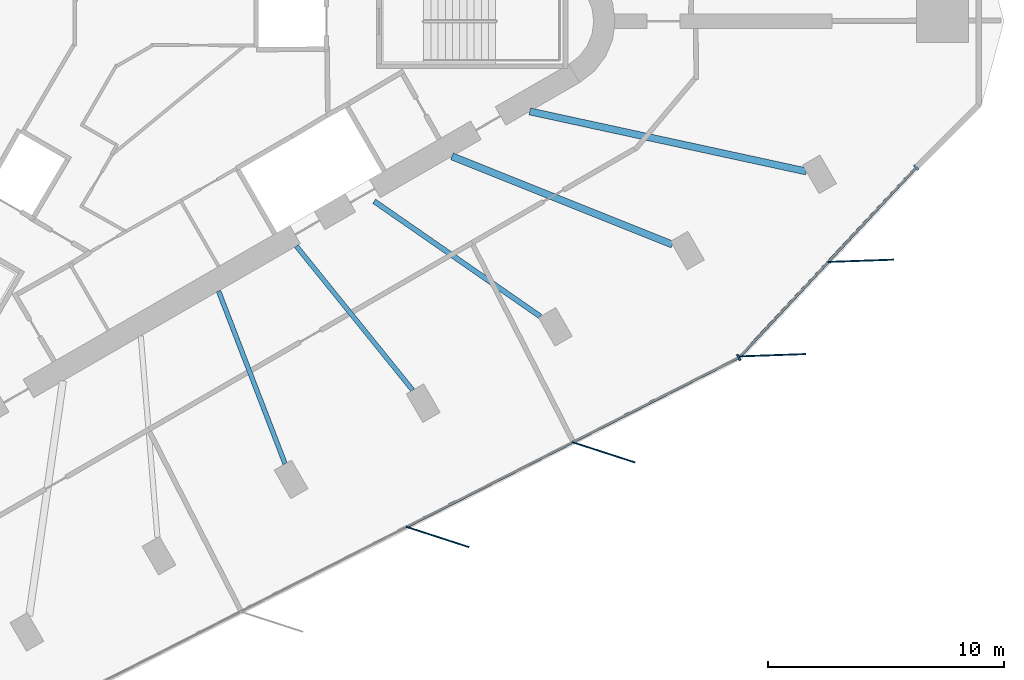
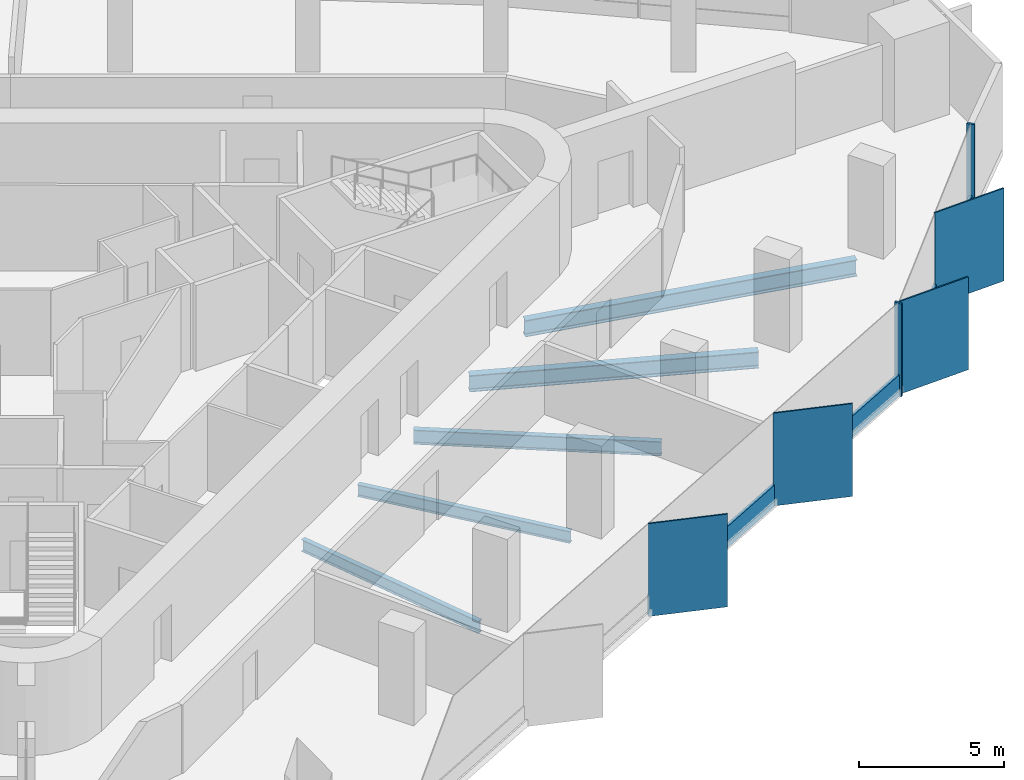
# One storey, part 3 of 13: 10 members, 5 beams, 2 elements without a shape of their own.
"""IFC4 building model written with IfcOpenShell, lengths in metres."""

from ifc_helpers import new_model, si_unit, direction, frame, origin, origin_2d, place, context, subcontext, project, spatial, rectangle, i_section, extrude, material, material_profile, profile_set, type_object, element, aggregate, save


model = new_model("IFC4")

# Units and contexts
model_context = context("Model", 3, precision=1e-05, world=origin(), true_north=direction((0.0, 1.0)))
body_context = subcontext(model_context, "Body", "Model", "MODEL_VIEW")
ifc_project = project(units=[si_unit("LENGTHUNIT", "METRE"), si_unit("AREAUNIT", "SQUARE_METRE"), si_unit("VOLUMEUNIT", "CUBIC_METRE"), si_unit("PLANEANGLEUNIT", "RADIAN"), si_unit("MASSUNIT", "GRAM", prefix="KILO")], contexts=[model_context])

# Site, building, storey
site_placement = place(None, origin())
site = spatial("IfcSite", under=ifc_project, at=site_placement, CompositionType="ELEMENT")
building_placement = place(site_placement, origin())
building = spatial("IfcBuilding", under=site, at=building_placement, Name="Tanit Gate Tower", CompositionType="ELEMENT")
storey_placement = place(building_placement, frame((0.0, 0.0, 314.300048828125)))
storey = spatial("IfcBuildingStorey", under=building, at=storey_placement, Name="L70", CompositionType="ELEMENT", Elevation=314.300048828125)

# Curtain wall, members
ifc_material_1 = material(Name="Aluminium bronze anodised and glass", Category="aluminium")
curtain_wall_type = type_object("IfcCurtainWallType", Name="Curtain wall typical high", PredefinedType="NOTDEFINED", material=ifc_material_1)
curtain_wall_1_placement = place(storey_placement, origin())
curtain_wall_1 = element("IfcCurtainWall", 1, at=curtain_wall_1_placement, inside=storey, type_object=curtain_wall_type, Name="Curtain wall L70 SE2", PredefinedType="NOTDEFINED")
ifc_material_2 = material(Name="Aluminium bronze anodised", Category="aluminium")
ifc_material_profile_1 = material_profile(ifc_material_2, rectangle(XDim=2.800048828125, YDim=0.055908203125, at=origin_2d()), Name="56x2800 bronze fin mullion")
ifc_profile_set_1 = profile_set([ifc_material_profile_1], Name="Aluminium bronze anodised")
member_type_1 = type_object("IfcMemberType", Name="FIN MULLION 56x2800 bronze", PredefinedType="MULLION", material=ifc_profile_set_1)
member_1_placement = place(storey_placement, frame((13.679443359375, -21.848388671875, -0.300048828125), z_axis=(0.0, 0.0, 1.0), x_axis=(-0.95115950718, 0.308699841109, 0.0)))
member_1 = element("IfcMember", 2, at=member_1_placement, type_object=member_type_1, Name="Fin mullion L70 SE2.3", PredefinedType="MULLION", context=body_context, shape_type="SweptSolid", body=[
    extrude(rectangle(XDim=2.800048828125, YDim=0.055908203125, at=origin_2d()), origin(), (0.0, 0.0, 1.0), 3.89990234375),
])
member_2_placement = place(storey_placement, frame((20.716552734375, -18.259765625, -0.300048828125), z_axis=(0.0, 0.0, 1.0), x_axis=(-0.95115950718, 0.308699841109, 0.0)))
member_2 = element("IfcMember", 3, at=member_2_placement, type_object=member_type_1, Name="Fin mullion L70 SE2.4", PredefinedType="MULLION", context=body_context, shape_type="SweptSolid", body=[
    extrude(rectangle(XDim=2.800048828125, YDim=0.055908203125, at=origin_2d()), origin(), (0.0, 0.0, 1.0), 3.89990234375),
])

curtain_wall_2_placement = place(storey_placement, origin())
curtain_wall_2 = element("IfcCurtainWall", 4, at=curtain_wall_2_placement, inside=storey, type_object=curtain_wall_type, Name="Curtain wall L70 SE3", PredefinedType="NOTDEFINED")
member_3_placement = place(storey_placement, frame((27.88330078125, -14.14892578125, -0.300048828125), z_axis=(0.0, 0.0, 1.0), x_axis=(-0.999378821077, -0.035241622859, 0.0)))
member_3 = element("IfcMember", 5, at=member_3_placement, type_object=member_type_1, Name="Fin mullion L70 SE3.1", PredefinedType="MULLION", context=body_context, shape_type="SweptSolid", body=[
    extrude(rectangle(XDim=2.800048828125, YDim=0.055908203125, at=origin_2d()), origin(), (0.0, 0.0, 1.0), 3.89990234375),
])
member_4_placement = place(storey_placement, frame((31.61181640625, -10.14794921875, -0.300048828125), z_axis=(0.0, 0.0, 1.0), x_axis=(-0.999378821077, -0.035241622859, 0.0)))
member_4 = element("IfcMember", 6, at=member_4_placement, type_object=member_type_1, Name="Fin mullion L70 SE3.2", PredefinedType="MULLION", context=body_context, shape_type="SweptSolid", body=[
    extrude(rectangle(XDim=2.800048828125, YDim=0.055908203125, at=origin_2d()), origin(), (0.0, 0.0, 1.0), 3.89990234375),
])

# Member
ifc_material_3 = material(Name="Aluminium bronze anodised", Category="aluminium")
ifc_material_profile_2 = material_profile(ifc_material_3, rectangle(XDim=0.280029296875, YDim=0.080078125, at=origin_2d()), Name="80x280 bronze mullion")
ifc_profile_set_2 = profile_set([ifc_material_profile_2], Name="Aluminium bronze anodised")
member_type_2 = type_object("IfcMemberType", Name="Mullion 80x280 typical high", PredefinedType="MULLION", material=ifc_profile_set_2)
member_5_placement = place(storey_placement, frame((26.441162109375, -14.2451171875, -0.300048828125), z_axis=(0.0, 0.0, 1.0), x_axis=(-0.454287586518, 0.890855088516, 0.0)))
member_5 = element("IfcMember", 7, at=member_5_placement, type_object=member_type_2, Name="Mullion L70 SE2.5", PredefinedType="MULLION", context=body_context, shape_type="SweptSolid", body=[
    extrude(rectangle(XDim=0.280029296875, YDim=0.080078125, at=origin_2d()), origin(), (0.0, 0.0, 1.0), 3.89990234375),
])

member_6_placement = place(storey_placement, frame((33.961181640625, -6.1953125, -0.300048828125), z_axis=(0.0, 0.0, 1.0), x_axis=(-0.731587131862, 0.681747950854, 0.0)))
member_6 = element("IfcMember", 8, at=member_6_placement, type_object=member_type_2, Name="Mullion L70 SE3.3", PredefinedType="MULLION", context=body_context, shape_type="SweptSolid", body=[
    extrude(rectangle(XDim=0.280029296875, YDim=0.080078125, at=origin_2d()), origin(), (0.0, 0.0, 1.0), 3.89990234375),
])

# Beams
ifc_material_4 = material(Name="Steel S355", Category="steel")
ifc_material_profile_3 = material_profile(ifc_material_4, i_section(OverallWidth=0.300048828125, OverallDepth=0.68994140625, WebThickness=0.014404296875, FlangeThickness=0.027099609375, FilletRadius=0.027099609375, at=origin_2d()), Name="HEA 700")
ifc_profile_set_3 = profile_set([ifc_material_profile_3], Name="Steel S355")
beam_type_1 = type_object("IfcBeamType", Name="RADIAL GIRDER HEA 700 S355", PredefinedType="BEAM", material=ifc_profile_set_3)
beam_1_placement = place(storey_placement, frame((23.631103515625, -9.461181640625, -0.64501953125), z_axis=(-0.928359475125, 0.371683581753, 0.0), x_axis=(-0.371683581753, -0.928359475125, 0.0)))
element("IfcBeam", 9, at=beam_1_placement, inside=storey, type_object=beam_type_1, Name="RADIAL GIRDER", PredefinedType="BEAM", context=body_context, shape_type="SweptSolid", body=[
    extrude(i_section(OverallWidth=0.300048828125, OverallDepth=0.68994140625, WebThickness=0.014404296875, FlangeThickness=0.027099609375, FilletRadius=0.027099609375, at=origin_2d()), origin(), (0.0, 0.0, 1.0), 10.05908203125),
])
beam_2_placement = place(storey_placement, frame((29.306396484375, -6.36279296875, -0.64501953125), z_axis=(-0.977231463817, 0.212176026275, 0.0), x_axis=(-0.212176026275, -0.977231463817, 0.0)))
element("IfcBeam", 10, at=beam_2_placement, inside=storey, type_object=beam_type_1, Name="RADIAL GIRDER", PredefinedType="BEAM", context=body_context, shape_type="SweptSolid", body=[
    extrude(i_section(OverallWidth=0.300048828125, OverallDepth=0.68994140625, WebThickness=0.014404296875, FlangeThickness=0.027099609375, FilletRadius=0.027099609375, at=origin_2d()), origin(), (0.0, 0.0, 1.0), 11.98974609375),
])
ifc_material_5 = material(Name="Steel S355", Category="steel")
ifc_material_profile_4 = material_profile(ifc_material_5, i_section(OverallWidth=0.199951171875, OverallDepth=0.5, WebThickness=0.01025390625, FlangeThickness=0.01611328125, FilletRadius=0.02099609375, at=origin_2d()), Name="IPE 500")
ifc_profile_set_4 = profile_set([ifc_material_profile_4], Name="Steel S355")
beam_type_2 = type_object("IfcBeamType", Name="RADIAL GIRDER IPE 500 S355", PredefinedType="BEAM", material=ifc_profile_set_4)
beam_3_placement = place(storey_placement, frame((7.22119140625, -18.751220703125, -0.550048828125), z_axis=(-0.359385809885, 0.933189069617, 0.0), x_axis=(-0.933189069617, -0.359385809885, 0.0)))
element("IfcBeam", 11, at=beam_3_placement, inside=storey, type_object=beam_type_2, Name="RADIAL GIRDER", PredefinedType="BEAM", context=body_context, shape_type="SweptSolid", body=[
    extrude(i_section(OverallWidth=0.199951171875, OverallDepth=0.5, WebThickness=0.01025390625, FlangeThickness=0.01611328125, FilletRadius=0.02099609375, at=origin_2d()), origin(), (0.0, 0.0, 1.0), 7.8427734375),
])
beam_4_placement = place(storey_placement, frame((12.62841796875, -15.62939453125, -0.550048828125), z_axis=(-0.628491429151, 0.777816510164, 0.0), x_axis=(-0.777816510164, -0.628491429151, 0.0)))
element("IfcBeam", 12, at=beam_4_placement, inside=storey, type_object=beam_type_2, Name="RADIAL GIRDER", PredefinedType="BEAM", context=body_context, shape_type="SweptSolid", body=[
    extrude(i_section(OverallWidth=0.199951171875, OverallDepth=0.5, WebThickness=0.01025390625, FlangeThickness=0.01611328125, FilletRadius=0.02099609375, at=origin_2d()), origin(), (0.0, 0.0, 1.0), 7.843017578125),
])
ifc_material_6 = material(Name="Steel S355", Category="steel")
ifc_material_profile_5 = material_profile(ifc_material_6, i_section(OverallWidth=0.219970703125, OverallDepth=0.60009765625, WebThickness=0.011962890625, FlangeThickness=0.01904296875, FilletRadius=0.02392578125, at=origin_2d()), Name="IPE 600")
ifc_profile_set_5 = profile_set([ifc_material_profile_5], Name="Steel S355")
beam_type_3 = type_object("IfcBeamType", Name="RADIAL GIRDER IPE 600 S355", PredefinedType="BEAM", material=ifc_profile_set_5)
beam_5_placement = place(storey_placement, frame((18.03564453125, -12.50732421875, -0.60009765625), z_axis=(-0.821738455581, 0.569864817847, 0.0), x_axis=(-0.569864817847, -0.821738455581, 0.0)))
element("IfcBeam", 13, at=beam_5_placement, inside=storey, type_object=beam_type_3, Name="RADIAL GIRDER", PredefinedType="BEAM", context=body_context, shape_type="SweptSolid", body=[
    extrude(i_section(OverallWidth=0.219970703125, OverallDepth=0.60009765625, WebThickness=0.011962890625, FlangeThickness=0.01904296875, FilletRadius=0.02392578125, at=origin_2d()), origin(), (0.0, 0.0, 1.0), 8.566650390625),
])

# Member
ifc_material_7 = material(Name="Aluminium bronze anodised", Category="aluminium")
ifc_material_profile_6 = material_profile(ifc_material_7, rectangle(XDim=0.1201171875, YDim=0.89990234375, at=origin_2d()), Name="120x900 bronze transom")
ifc_profile_set_6 = profile_set([ifc_material_profile_6], Name="Aluminium bronze anodised")
member_type_3 = type_object("IfcMemberType", Name="Transom 120x900 typical high", PredefinedType="USERDEFINED", material=ifc_profile_set_6)
member_7_placement = place(storey_placement, frame((12.402099609375, -21.404296875, 0.14990234375), z_axis=(0.890845944364, 0.454305517697, 0.0), x_axis=(-0.454305517697, 0.890845944364, 0.0)))
member_7 = element("IfcMember", 14, at=member_7_placement, type_object=member_type_3, Name="Transom L70 SE2.3", ObjectType="TRANSOM", PredefinedType="USERDEFINED", context=body_context, shape_type="SweptSolid", body=[
    extrude(rectangle(XDim=0.1201171875, YDim=0.89990234375, at=origin_2d()), origin(), (0.0, 0.0, 1.0), 7.819580078125),
])

member_8_placement = place(storey_placement, frame((19.439453125, -17.8154296875, 0.14990234375), z_axis=(0.890858580088, 0.454280739504, 0.0), x_axis=(-0.454280739504, 0.890858580088, 0.0)))
member_8 = element("IfcMember", 15, at=member_8_placement, type_object=member_type_3, Name="Transom L70 SE2.4", ObjectType="TRANSOM", PredefinedType="USERDEFINED", context=body_context, shape_type="SweptSolid", body=[
    extrude(rectangle(XDim=0.1201171875, YDim=0.89990234375, at=origin_2d()), origin(), (0.0, 0.0, 1.0), 7.819580078125),
])

aggregate(curtain_wall_1, [member_1, member_2, member_5, member_7, member_8])

member_9_placement = place(storey_placement, frame((26.53125, -14.16845703125, 0.14990234375), z_axis=(0.681751500039, 0.731583824449, 0.0), x_axis=(-0.731583824449, 0.681751500039, 0.0)))
member_9 = element("IfcMember", 16, at=member_9_placement, type_object=member_type_3, Name="Transom L70 SE3.1", ObjectType="TRANSOM", PredefinedType="USERDEFINED", context=body_context, shape_type="SweptSolid", body=[
    extrude(rectangle(XDim=0.1201171875, YDim=0.89990234375, at=origin_2d()), origin(), (0.0, 0.0, 1.0), 5.38916015625),
])

member_10_placement = place(storey_placement, frame((30.259765625, -10.167236328125, 0.14990234375), z_axis=(0.681751500039, 0.731583824449, 0.0), x_axis=(-0.731583824449, 0.681751500039, 0.0)))
member_10 = element("IfcMember", 17, at=member_10_placement, type_object=member_type_3, Name="Transom L70 SE3.2", ObjectType="TRANSOM", PredefinedType="USERDEFINED", context=body_context, shape_type="SweptSolid", body=[
    extrude(rectangle(XDim=0.1201171875, YDim=0.89990234375, at=origin_2d()), origin(), (0.0, 0.0, 1.0), 5.38916015625),
])

aggregate(curtain_wall_2, [member_3, member_4, member_6, member_9, member_10])

save(model, "model.ifc")
